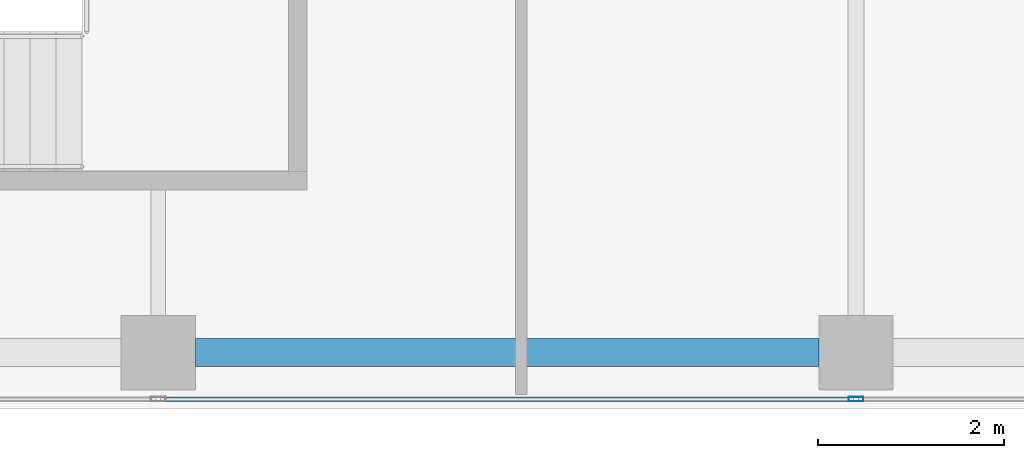
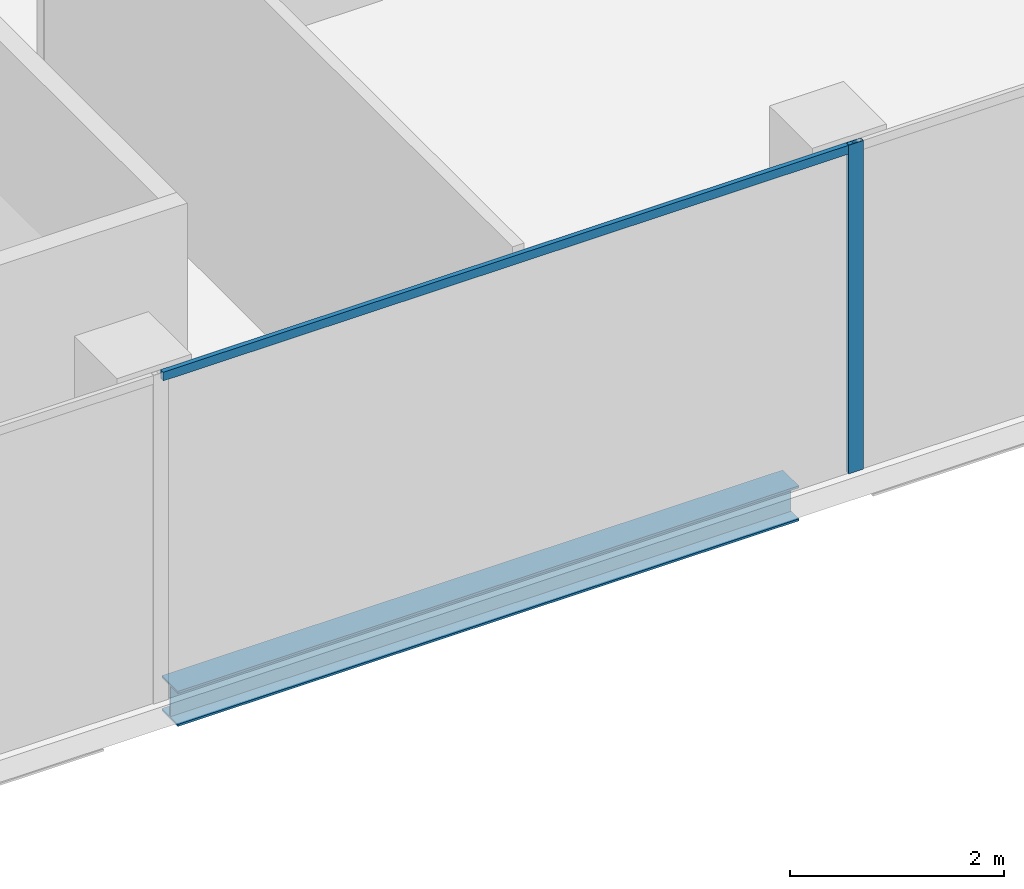
# One storey, part 5 of 29: 2 members, 1 beam, 1 element without a shape of its own.
"""IFC4 building model written with IfcOpenShell, lengths in metres."""

from ifc_helpers import new_model, si_unit, direction, frame, origin, origin_2d, place, context, subcontext, project, spatial, hollow_rectangle, i_section, extrude, source, transform, mapped, material, material_profile, profile_set, type_object, element, aggregate, save


model = new_model("IFC4")

# Units and contexts
model_context = context("Model", 3, precision=1e-05, world=origin(), true_north=direction((0.0, 1.0)))
body_context = subcontext(model_context, "Body", "Model", "MODEL_VIEW")
ifc_project = project(units=[si_unit("LENGTHUNIT", "METRE"), si_unit("AREAUNIT", "SQUARE_METRE"), si_unit("VOLUMEUNIT", "CUBIC_METRE"), si_unit("PLANEANGLEUNIT", "RADIAN"), si_unit("MASSUNIT", "GRAM", prefix="KILO")], contexts=[model_context])

# Site, building, storey
site_placement = place(None, origin())
site = spatial("IfcSite", under=ifc_project, at=site_placement, CompositionType="ELEMENT")
building_placement = place(site_placement, origin())
building = spatial("IfcBuilding", under=site, at=building_placement, Name="Khomas Fold Tower", CompositionType="ELEMENT")
storey_placement = place(building_placement, frame((0.0, 0.0, 314.199951171875)))
storey = spatial("IfcBuildingStorey", under=building, at=storey_placement, Name="L71", CompositionType="ELEMENT", Elevation=314.199951171875)

# Beam
ifc_material_1 = material(Name="Steel S355", Category="steel")
ifc_material_profile_1 = material_profile(ifc_material_1, i_section(OverallWidth=0.300048828125, OverallDepth=0.39990234375, WebThickness=0.013427734375, FlangeThickness=0.02392578125, at=origin_2d()), Name="HE 400 B")
ifc_profile_set_1 = profile_set([ifc_material_profile_1], Name="Steel S355")
beam_type = type_object("IfcBeamType", Name="HE 400 B spandrel SB5", PredefinedType="SPANDREL", material=ifc_profile_set_1)
shared_shape_1 = source(origin(), body_context, "Body", "SweptSolid", [
    extrude(i_section(OverallWidth=0.300048828125, OverallDepth=0.39990234375, WebThickness=0.013427734375, FlangeThickness=0.02392578125, at=origin_2d()), origin(), (0.0, 0.0, 1.0), 6.7001953125),
])
beam_placement = place(storey_placement, frame((19.89990234375, 6.60009765625, -0.449951171875), z_axis=(1.0, 0.0, 0.0), x_axis=(0.0, 1.0, 0.0)))
element("IfcBeam", 1, at=beam_placement, inside=storey, type_object=beam_type, Name="SB5", PredefinedType="SPANDREL", context=body_context, shape_type="MappedRepresentation", body=[
    mapped(shared_shape_1, transform((0.0, 0.0, 0.0))),
])

# Curtain wall, members
ifc_material_2 = material(Name="Aluminium framed double glazing", Category="aluminium")
curtain_wall_type = type_object("IfcCurtainWallType", Name="SK-Unitised clear-glass wall, upper floors CW3", PredefinedType="NOTDEFINED", material=ifc_material_2)
curtain_wall_placement = place(storey_placement, origin())
curtain_wall = element("IfcCurtainWall", 2, at=curtain_wall_placement, inside=storey, type_object=curtain_wall_type, Name="CW3 run L71 00-0", PredefinedType="NOTDEFINED")
ifc_material_3 = material(Name="Aluminium", Category="aluminium")
ifc_material_profile_2 = material_profile(ifc_material_3, hollow_rectangle(XDim=0.050048828125, YDim=0.159912109375, WallThickness=0.00390625, at=origin_2d()), Name="SK-Unitised clear-glass wall, upper floors mullion CW3-M")
ifc_profile_set_2 = profile_set([ifc_material_profile_2], Name="Aluminium")
member_type_1 = type_object("IfcMemberType", Name="SK-Unitised clear-glass wall, upper floors mullion CW3-M", PredefinedType="MULLION", material=ifc_profile_set_2)
shared_shape_2 = source(origin(), body_context, "Body", "SweptSolid", [
    extrude(hollow_rectangle(XDim=0.050048828125, YDim=0.159912109375, WallThickness=0.00390625, at=origin_2d()), origin(), (0.0, 0.0, 1.0), 3.75),
])
member_1_placement = place(storey_placement, frame((27.0, 6.10009765625, 0.0), z_axis=(0.0, 0.0, 1.0), x_axis=(0.0, 1.0, 0.0)))
member_1 = element("IfcMember", 3, at=member_1_placement, type_object=member_type_1, Name="CW3 mullion 4", PredefinedType="MULLION", context=body_context, shape_type="MappedRepresentation", body=[
    mapped(shared_shape_2, transform((0.0, 0.0, 0.0))),
])
ifc_material_4 = material(Name="Aluminium", Category="aluminium")
ifc_material_profile_3 = material_profile(ifc_material_4, hollow_rectangle(XDim=0.050048828125, YDim=0.10009765625, WallThickness=0.00390625, at=origin_2d()), Name="SK-Unitised clear-glass wall, upper floors transom CW3-T")
ifc_profile_set_3 = profile_set([ifc_material_profile_3], Name="Aluminium")
member_type_2 = type_object("IfcMemberType", Name="SK-Unitised clear-glass wall, upper floors transom CW3-T", PredefinedType="USERDEFINED", material=ifc_profile_set_3)
shared_shape_3 = source(origin(), body_context, "Body", "SweptSolid", [
    extrude(hollow_rectangle(XDim=0.050048828125, YDim=0.10009765625, WallThickness=0.00390625, at=origin_2d()), origin(), (0.0, 0.0, 1.0), 7.4501953125),
])
member_2_placement = place(storey_placement, frame((19.52490234375, 6.10009765625, 3.699951171875), z_axis=(1.0, 0.0, 0.0), x_axis=(0.0, 1.0, 0.0)))
member_2 = element("IfcMember", 4, at=member_2_placement, type_object=member_type_2, Name="CW3 transom 3", ObjectType="TRANSOM", PredefinedType="USERDEFINED", context=body_context, shape_type="MappedRepresentation", body=[
    mapped(shared_shape_3, transform((0.0, 0.0, 0.0))),
])
aggregate(curtain_wall, [member_1, member_2])

save(model, "model.ifc")
